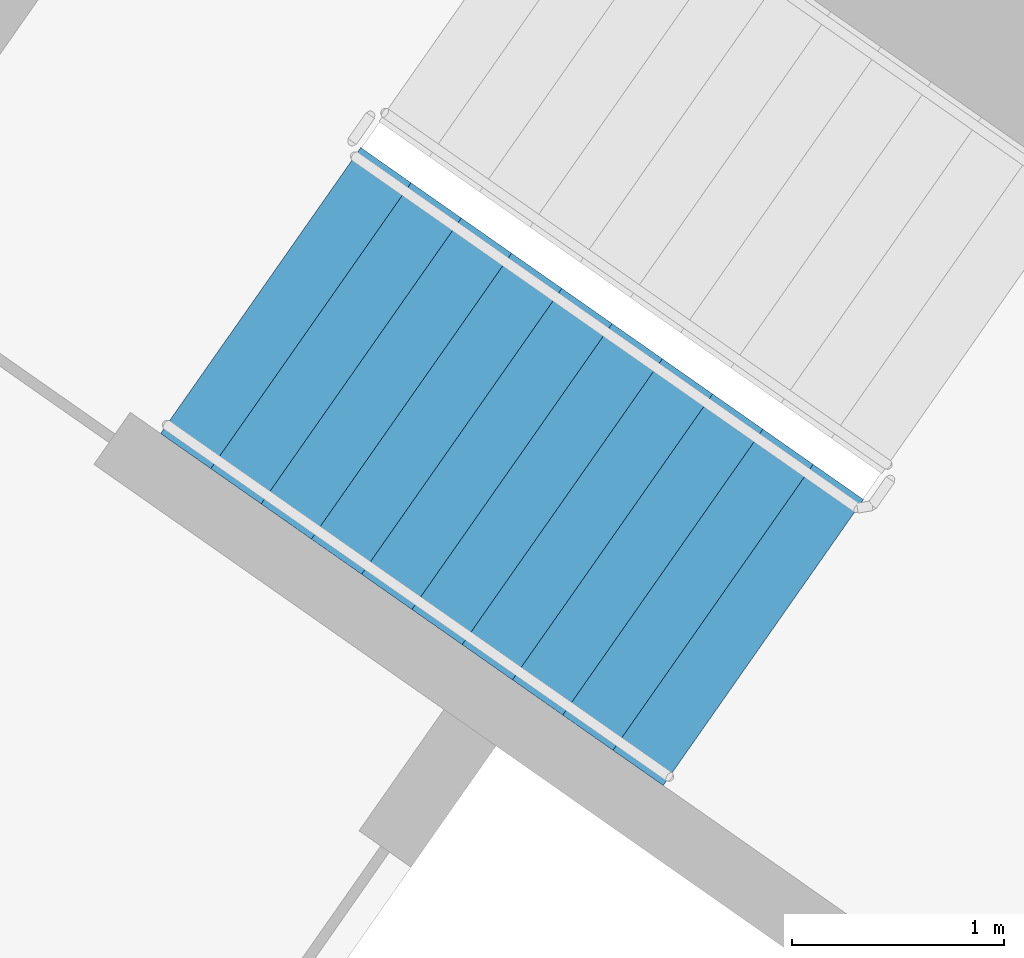
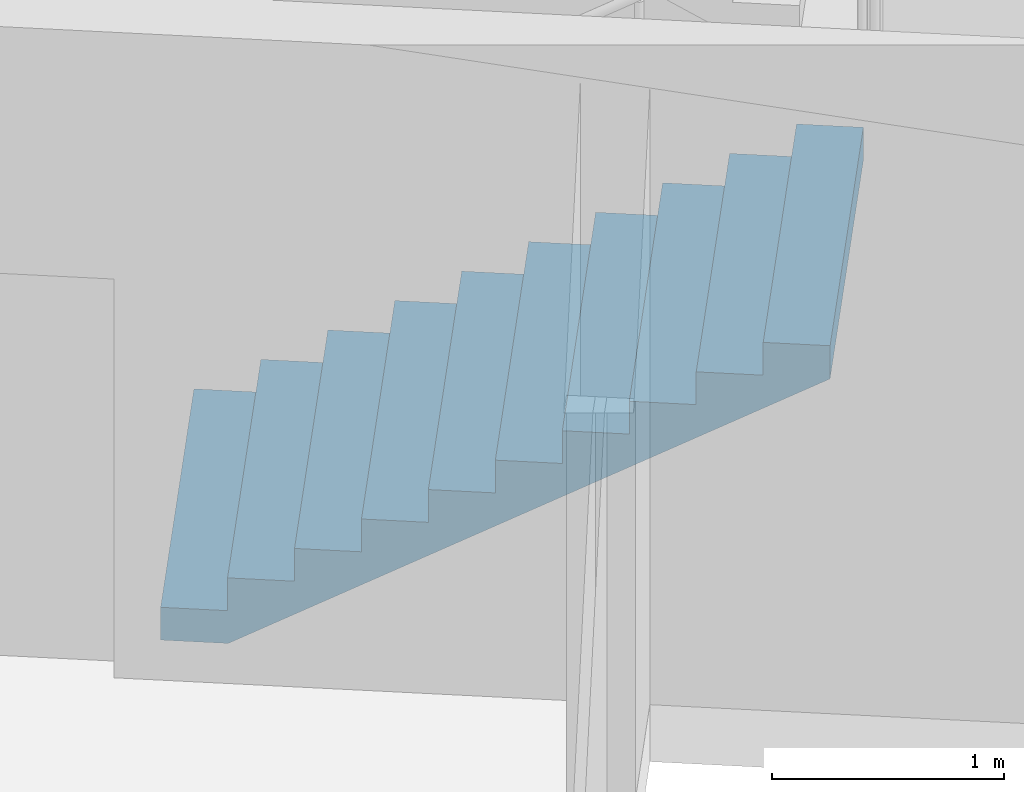
# One storey, part 11 of 28: 1 stair flight, 1 element without a shape of its own.
"""IFC4 building model written with IfcOpenShell, lengths in metres."""

from ifc_helpers import new_model, si_unit, direction, frame, origin, place, context, subcontext, project, spatial, faceted_brep, material, type_object, element, aggregate, save


model = new_model("IFC4")

# Units and contexts
model_context = context("Model", 3, precision=1e-05, world=origin(), true_north=direction((0.0, 1.0)))
body_context = subcontext(model_context, "Body", "Model", "MODEL_VIEW")
ifc_project = project(units=[si_unit("LENGTHUNIT", "METRE"), si_unit("AREAUNIT", "SQUARE_METRE"), si_unit("VOLUMEUNIT", "CUBIC_METRE"), si_unit("PLANEANGLEUNIT", "RADIAN"), si_unit("MASSUNIT", "GRAM", prefix="KILO")], contexts=[model_context])

# Site, building, storey
site_placement = place(None, origin())
site = spatial("IfcSite", under=ifc_project, at=site_placement, CompositionType="ELEMENT")
building_placement = place(site_placement, origin())
building = spatial("IfcBuilding", under=site, at=building_placement, Name="Qamariyya Broadcast Tower", CompositionType="ELEMENT")
storey_placement = place(building_placement, frame((0.0, 0.0, 249.300048828125)))
storey = spatial("IfcBuildingStorey", under=building, at=storey_placement, Name="L60", CompositionType="ELEMENT", Elevation=249.300048828125)

# Stair, stair flight
ifc_material = material(Name="Concrete C50/60", Category="concrete")
stair_type = type_object("IfcStairType", Name="Exit stair 22 risers of 173 mm", PredefinedType="HALF_TURN_STAIR", material=ifc_material)
stair_placement = place(storey_placement, origin())
stair = element("IfcStair", 1, at=stair_placement, inside=storey, type_object=stair_type, Name="L60 Stair W2", PredefinedType="HALF_TURN_STAIR")
stair_flight_type = type_object("IfcStairFlightType", Name="Exit stair flight 11 risers of 173 mm", PredefinedType="STRAIGHT", material=ifc_material)
stair_flight_placement = place(storey_placement, frame((-41.59130859375, -49.15966796875, 0.0), z_axis=(0.0, 0.0, 1.0), x_axis=(0.819152044289, -0.573576436351, 0.0)))
stair_flight = element("IfcStairFlight", 2, at=stair_flight_placement, type_object=stair_flight_type, Name="ST-W2 flight 1", NumberOfRisers=11, NumberOfTreads=10, PredefinedType="STRAIGHT", RiserHeight=0.172727273, TreadLength=0.29, context=body_context, shape_type="Brep", body=[
    faceted_brep([(0.0, 0.824951171875, 0.0), (0.0, 0.824951171875, 0.172607421875), (0.2900390625, 0.824951171875, 0.172607421875), (0.2900390625, 0.824951171875, 0.345458984375), (0.580078125, 0.824951171875, 0.345458984375), (0.580078125, 0.824951171875, 0.51806640625), (0.8701171875, 0.824951171875, 0.51806640625), (0.8701171875, 0.824951171875, 0.69091796875), (1.159912109375, 0.824951171875, 0.69091796875), (1.159912109375, 0.824951171875, 0.863525390625), (1.449951171875, 0.824951171875, 0.863525390625), (1.449951171875, 0.824951171875, 1.036376953125), (1.739990234375, 0.824951171875, 1.036376953125), (1.739990234375, 0.824951171875, 1.208984375), (2.030029296875, 0.824951171875, 1.208984375), (2.030029296875, 0.824951171875, 1.3818359375), (2.320068359375, 0.824951171875, 1.3818359375), (2.320068359375, 0.824951171875, 1.554443359375), (2.610107421875, 0.824951171875, 1.554443359375), (2.610107421875, 0.824951171875, 1.727294921875), (2.89990234375, 0.824951171875, 1.727294921875), (2.89990234375, 0.824951171875, 1.552734375), (0.29296875, 0.824951171875, 0.0), (0.29296875, -0.824951171875, 0.0), (2.89990234375, -0.824951171875, 1.552734375), (2.89990234375, -0.824951171875, 1.727294921875), (2.610107421875, -0.824951171875, 1.727294921875), (2.610107421875, -0.824951171875, 1.554443359375), (2.320068359375, -0.824951171875, 1.554443359375), (2.320068359375, -0.824951171875, 1.3818359375), (2.030029296875, -0.824951171875, 1.3818359375), (2.030029296875, -0.824951171875, 1.208984375), (1.739990234375, -0.824951171875, 1.208984375), (1.739990234375, -0.824951171875, 1.036376953125), (1.449951171875, -0.824951171875, 1.036376953125), (1.449951171875, -0.824951171875, 0.863525390625), (1.159912109375, -0.824951171875, 0.863525390625), (1.159912109375, -0.824951171875, 0.69091796875), (0.8701171875, -0.824951171875, 0.69091796875), (0.8701171875, -0.824951171875, 0.51806640625), (0.580078125, -0.824951171875, 0.51806640625), (0.580078125, -0.824951171875, 0.345458984375), (0.2900390625, -0.824951171875, 0.345458984375), (0.2900390625, -0.824951171875, 0.172607421875), (0.0, -0.824951171875, 0.172607421875), (0.0, -0.824951171875, 0.0), (0.0, 0.10009765625, 0.0), (0.0, 0.086669921875, 0.0), (0.0, 0.0732421875, 0.0), (0.0, 0.06005859375, 0.0), (0.0, 0.046630859375, 0.0), (0.0, 0.033447265625, 0.0), (0.0, 0.02001953125, 0.0), (0.0, 0.006591796875, 0.0), (0.0, -0.006591796875, 0.0), (0.0, -0.02001953125, 0.0), (0.0, -0.033447265625, 0.0), (0.0, -0.046630859375, 0.0), (0.0, -0.06005859375, 0.0), (0.0, -0.0732421875, 0.0), (0.0, -0.086669921875, 0.0), (0.0, -0.10009765625, 0.0), (0.0, -0.10009765625, 0.172607421875), (0.0, -0.086669921875, 0.172607421875), (0.0, -0.0732421875, 0.172607421875), (0.0, -0.06005859375, 0.172607421875), (0.0, -0.046630859375, 0.172607421875), (0.0, -0.033447265625, 0.172607421875), (0.0, -0.02001953125, 0.172607421875), (0.0, -0.006591796875, 0.172607421875), (0.0, 0.006591796875, 0.172607421875), (0.0, 0.02001953125, 0.172607421875), (0.0, 0.033447265625, 0.172607421875), (0.0, 0.046630859375, 0.172607421875), (0.0, 0.06005859375, 0.172607421875), (0.0, 0.0732421875, 0.172607421875), (0.0, 0.086669921875, 0.172607421875), (0.0, 0.10009765625, 0.172607421875), (0.2900390625, -0.10009765625, 0.172607421875), (0.2900390625, -0.086669921875, 0.172607421875), (0.2900390625, -0.0732421875, 0.172607421875), (0.2900390625, -0.06005859375, 0.172607421875), (0.2900390625, -0.046630859375, 0.172607421875), (0.2900390625, -0.033447265625, 0.172607421875), (0.2900390625, -0.02001953125, 0.172607421875), (0.2900390625, -0.006591796875, 0.172607421875), (0.2900390625, 0.006591796875, 0.172607421875), (0.2900390625, 0.02001953125, 0.172607421875), (0.2900390625, 0.033447265625, 0.172607421875), (0.2900390625, 0.046630859375, 0.172607421875), (0.2900390625, 0.06005859375, 0.172607421875), (0.2900390625, 0.0732421875, 0.172607421875), (0.2900390625, 0.086669921875, 0.172607421875), (0.2900390625, 0.10009765625, 0.172607421875), (0.2900390625, -0.10009765625, 0.345458984375), (0.2900390625, -0.086669921875, 0.345458984375), (0.2900390625, -0.0732421875, 0.345458984375), (0.2900390625, -0.06005859375, 0.345458984375), (0.2900390625, -0.046630859375, 0.345458984375), (0.2900390625, -0.033447265625, 0.345458984375), (0.2900390625, -0.02001953125, 0.345458984375), (0.2900390625, -0.006591796875, 0.345458984375), (0.2900390625, 0.006591796875, 0.345458984375), (0.2900390625, 0.02001953125, 0.345458984375), (0.2900390625, 0.033447265625, 0.345458984375), (0.2900390625, 0.046630859375, 0.345458984375), (0.2900390625, 0.06005859375, 0.345458984375), (0.2900390625, 0.0732421875, 0.345458984375), (0.2900390625, 0.086669921875, 0.345458984375), (0.2900390625, 0.10009765625, 0.345458984375), (0.580078125, -0.10009765625, 0.345458984375), (0.580078125, -0.086669921875, 0.345458984375), (0.580078125, -0.0732421875, 0.345458984375), (0.580078125, -0.06005859375, 0.345458984375), (0.580078125, -0.046630859375, 0.345458984375), (0.580078125, -0.033447265625, 0.345458984375), (0.580078125, -0.02001953125, 0.345458984375), (0.580078125, -0.006591796875, 0.345458984375), (0.580078125, 0.006591796875, 0.345458984375), (0.580078125, 0.02001953125, 0.345458984375), (0.580078125, 0.033447265625, 0.345458984375), (0.580078125, 0.046630859375, 0.345458984375), (0.580078125, 0.06005859375, 0.345458984375), (0.580078125, 0.0732421875, 0.345458984375), (0.580078125, 0.086669921875, 0.345458984375), (0.580078125, 0.10009765625, 0.345458984375), (0.580078125, -0.10009765625, 0.51806640625), (0.580078125, -0.086669921875, 0.51806640625), (0.580078125, -0.0732421875, 0.51806640625), (0.580078125, -0.06005859375, 0.51806640625), (0.580078125, -0.046630859375, 0.51806640625), (0.580078125, -0.033447265625, 0.51806640625), (0.580078125, -0.02001953125, 0.51806640625), (0.580078125, -0.006591796875, 0.51806640625), (0.580078125, 0.006591796875, 0.51806640625), (0.580078125, 0.02001953125, 0.51806640625), (0.580078125, 0.033447265625, 0.51806640625), (0.580078125, 0.046630859375, 0.51806640625), (0.580078125, 0.06005859375, 0.51806640625), (0.580078125, 0.0732421875, 0.51806640625), (0.580078125, 0.086669921875, 0.51806640625), (0.580078125, 0.10009765625, 0.51806640625), (0.8701171875, -0.10009765625, 0.51806640625), (0.8701171875, -0.086669921875, 0.51806640625), (0.8701171875, -0.0732421875, 0.51806640625), (0.8701171875, -0.06005859375, 0.51806640625), (0.8701171875, -0.046630859375, 0.51806640625), (0.8701171875, -0.033447265625, 0.51806640625), (0.8701171875, -0.02001953125, 0.51806640625), (0.8701171875, -0.006591796875, 0.51806640625), (0.8701171875, 0.006591796875, 0.51806640625), (0.8701171875, 0.02001953125, 0.51806640625), (0.8701171875, 0.033447265625, 0.51806640625), (0.8701171875, 0.046630859375, 0.51806640625), (0.8701171875, 0.06005859375, 0.51806640625), (0.8701171875, 0.0732421875, 0.51806640625), (0.8701171875, 0.086669921875, 0.51806640625), (0.8701171875, 0.10009765625, 0.51806640625), (0.8701171875, -0.10009765625, 0.69091796875), (0.8701171875, -0.086669921875, 0.69091796875), (0.8701171875, -0.0732421875, 0.69091796875), (0.8701171875, -0.06005859375, 0.69091796875), (0.8701171875, -0.046630859375, 0.69091796875), (0.8701171875, -0.033447265625, 0.69091796875), (0.8701171875, -0.02001953125, 0.69091796875), (0.8701171875, -0.006591796875, 0.69091796875), (0.8701171875, 0.006591796875, 0.69091796875), (0.8701171875, 0.02001953125, 0.69091796875), (0.8701171875, 0.033447265625, 0.69091796875), (0.8701171875, 0.046630859375, 0.69091796875), (0.8701171875, 0.06005859375, 0.69091796875), (0.8701171875, 0.0732421875, 0.69091796875), (0.8701171875, 0.086669921875, 0.69091796875), (0.8701171875, 0.10009765625, 0.69091796875), (1.159912109375, -0.10009765625, 0.69091796875), (1.159912109375, -0.086669921875, 0.69091796875), (1.159912109375, -0.0732421875, 0.69091796875), (1.159912109375, -0.06005859375, 0.69091796875), (1.159912109375, -0.046630859375, 0.69091796875), (1.159912109375, -0.033447265625, 0.69091796875), (1.159912109375, -0.02001953125, 0.69091796875), (1.159912109375, -0.006591796875, 0.69091796875), (1.159912109375, 0.006591796875, 0.69091796875), (1.159912109375, 0.02001953125, 0.69091796875), (1.159912109375, 0.033447265625, 0.69091796875), (1.159912109375, 0.046630859375, 0.69091796875), (1.159912109375, 0.06005859375, 0.69091796875), (1.159912109375, 0.0732421875, 0.69091796875), (1.159912109375, 0.086669921875, 0.69091796875), (1.159912109375, 0.10009765625, 0.69091796875), (1.159912109375, -0.10009765625, 0.863525390625), (1.159912109375, -0.086669921875, 0.863525390625), (1.159912109375, -0.0732421875, 0.863525390625), (1.159912109375, -0.06005859375, 0.863525390625), (1.159912109375, -0.046630859375, 0.863525390625), (1.159912109375, -0.033447265625, 0.863525390625), (1.159912109375, -0.02001953125, 0.863525390625), (1.159912109375, -0.006591796875, 0.863525390625), (1.159912109375, 0.006591796875, 0.863525390625), (1.159912109375, 0.02001953125, 0.863525390625), (1.159912109375, 0.033447265625, 0.863525390625), (1.159912109375, 0.046630859375, 0.863525390625), (1.159912109375, 0.06005859375, 0.863525390625), (1.159912109375, 0.0732421875, 0.863525390625), (1.159912109375, 0.086669921875, 0.863525390625), (1.159912109375, 0.10009765625, 0.863525390625), (1.449951171875, -0.10009765625, 0.863525390625), (1.449951171875, -0.086669921875, 0.863525390625), (1.449951171875, -0.0732421875, 0.863525390625), (1.449951171875, -0.06005859375, 0.863525390625), (1.449951171875, -0.046630859375, 0.863525390625), (1.449951171875, -0.033447265625, 0.863525390625), (1.449951171875, -0.02001953125, 0.863525390625), (1.449951171875, -0.006591796875, 0.863525390625), (1.449951171875, 0.006591796875, 0.863525390625), (1.449951171875, 0.02001953125, 0.863525390625), (1.449951171875, 0.033447265625, 0.863525390625), (1.449951171875, 0.046630859375, 0.863525390625), (1.449951171875, 0.06005859375, 0.863525390625), (1.449951171875, 0.0732421875, 0.863525390625), (1.449951171875, 0.086669921875, 0.863525390625), (1.449951171875, 0.10009765625, 0.863525390625), (1.449951171875, -0.10009765625, 1.036376953125), (1.449951171875, -0.086669921875, 1.036376953125), (1.449951171875, -0.0732421875, 1.036376953125), (1.449951171875, -0.06005859375, 1.036376953125), (1.449951171875, -0.046630859375, 1.036376953125), (1.449951171875, -0.033447265625, 1.036376953125), (1.449951171875, -0.02001953125, 1.036376953125), (1.449951171875, -0.006591796875, 1.036376953125), (1.449951171875, 0.006591796875, 1.036376953125), (1.449951171875, 0.02001953125, 1.036376953125), (1.449951171875, 0.033447265625, 1.036376953125), (1.449951171875, 0.046630859375, 1.036376953125), (1.449951171875, 0.06005859375, 1.036376953125), (1.449951171875, 0.0732421875, 1.036376953125), (1.449951171875, 0.086669921875, 1.036376953125), (1.449951171875, 0.10009765625, 1.036376953125), (1.739990234375, -0.10009765625, 1.036376953125), (1.739990234375, -0.086669921875, 1.036376953125), (1.739990234375, -0.0732421875, 1.036376953125), (1.739990234375, -0.06005859375, 1.036376953125), (1.739990234375, -0.046630859375, 1.036376953125), (1.739990234375, -0.033447265625, 1.036376953125), (1.739990234375, -0.02001953125, 1.036376953125), (1.739990234375, -0.006591796875, 1.036376953125), (1.739990234375, 0.006591796875, 1.036376953125), (1.739990234375, 0.02001953125, 1.036376953125), (1.739990234375, 0.033447265625, 1.036376953125), (1.739990234375, 0.046630859375, 1.036376953125), (1.739990234375, 0.06005859375, 1.036376953125), (1.739990234375, 0.0732421875, 1.036376953125), (1.739990234375, 0.086669921875, 1.036376953125), (1.739990234375, 0.10009765625, 1.036376953125), (1.739990234375, -0.10009765625, 1.208984375), (1.739990234375, -0.086669921875, 1.208984375), (1.739990234375, -0.0732421875, 1.208984375), (1.739990234375, -0.06005859375, 1.208984375), (1.739990234375, -0.046630859375, 1.208984375), (1.739990234375, -0.033447265625, 1.208984375), (1.739990234375, -0.02001953125, 1.208984375), (1.739990234375, -0.006591796875, 1.208984375), (1.739990234375, 0.006591796875, 1.208984375), (1.739990234375, 0.02001953125, 1.208984375), (1.739990234375, 0.033447265625, 1.208984375), (1.739990234375, 0.046630859375, 1.208984375), (1.739990234375, 0.06005859375, 1.208984375), (1.739990234375, 0.0732421875, 1.208984375), (1.739990234375, 0.086669921875, 1.208984375), (1.739990234375, 0.10009765625, 1.208984375), (2.030029296875, -0.10009765625, 1.208984375), (2.030029296875, -0.086669921875, 1.208984375), (2.030029296875, -0.0732421875, 1.208984375), (2.030029296875, -0.06005859375, 1.208984375), (2.030029296875, -0.046630859375, 1.208984375), (2.030029296875, -0.033447265625, 1.208984375), (2.030029296875, -0.02001953125, 1.208984375), (2.030029296875, -0.006591796875, 1.208984375), (2.030029296875, 0.006591796875, 1.208984375), (2.030029296875, 0.02001953125, 1.208984375), (2.030029296875, 0.033447265625, 1.208984375), (2.030029296875, 0.046630859375, 1.208984375), (2.030029296875, 0.06005859375, 1.208984375), (2.030029296875, 0.0732421875, 1.208984375), (2.030029296875, 0.086669921875, 1.208984375), (2.030029296875, 0.10009765625, 1.208984375), (2.030029296875, -0.10009765625, 1.3818359375), (2.030029296875, -0.086669921875, 1.3818359375), (2.030029296875, -0.0732421875, 1.3818359375), (2.030029296875, -0.06005859375, 1.3818359375), (2.030029296875, -0.046630859375, 1.3818359375), (2.030029296875, -0.033447265625, 1.3818359375), (2.030029296875, -0.02001953125, 1.3818359375), (2.030029296875, -0.006591796875, 1.3818359375), (2.030029296875, 0.006591796875, 1.3818359375), (2.030029296875, 0.02001953125, 1.3818359375), (2.030029296875, 0.033447265625, 1.3818359375), (2.030029296875, 0.046630859375, 1.3818359375), (2.030029296875, 0.06005859375, 1.3818359375), (2.030029296875, 0.0732421875, 1.3818359375), (2.030029296875, 0.086669921875, 1.3818359375), (2.030029296875, 0.10009765625, 1.3818359375), (2.320068359375, -0.10009765625, 1.3818359375), (2.320068359375, -0.086669921875, 1.3818359375), (2.320068359375, -0.0732421875, 1.3818359375), (2.320068359375, -0.06005859375, 1.3818359375), (2.320068359375, -0.046630859375, 1.3818359375), (2.320068359375, -0.033447265625, 1.3818359375), (2.320068359375, -0.02001953125, 1.3818359375), (2.320068359375, -0.006591796875, 1.3818359375), (2.320068359375, 0.006591796875, 1.3818359375), (2.320068359375, 0.02001953125, 1.3818359375), (2.320068359375, 0.033447265625, 1.3818359375), (2.320068359375, 0.046630859375, 1.3818359375), (2.320068359375, 0.06005859375, 1.3818359375), (2.320068359375, 0.0732421875, 1.3818359375), (2.320068359375, 0.086669921875, 1.3818359375), (2.320068359375, 0.10009765625, 1.3818359375), (2.320068359375, -0.10009765625, 1.554443359375), (2.320068359375, -0.086669921875, 1.554443359375), (2.320068359375, -0.0732421875, 1.554443359375), (2.320068359375, -0.06005859375, 1.554443359375), (2.320068359375, -0.046630859375, 1.554443359375), (2.320068359375, -0.033447265625, 1.554443359375), (2.320068359375, -0.02001953125, 1.554443359375), (2.320068359375, -0.006591796875, 1.554443359375), (2.320068359375, 0.006591796875, 1.554443359375), (2.320068359375, 0.02001953125, 1.554443359375), (2.320068359375, 0.033447265625, 1.554443359375), (2.320068359375, 0.046630859375, 1.554443359375), (2.320068359375, 0.06005859375, 1.554443359375), (2.320068359375, 0.0732421875, 1.554443359375), (2.320068359375, 0.086669921875, 1.554443359375), (2.320068359375, 0.10009765625, 1.554443359375), (2.610107421875, -0.10009765625, 1.554443359375), (2.610107421875, -0.086669921875, 1.554443359375), (2.610107421875, -0.0732421875, 1.554443359375), (2.610107421875, -0.06005859375, 1.554443359375), (2.610107421875, -0.046630859375, 1.554443359375), (2.610107421875, -0.033447265625, 1.554443359375), (2.610107421875, -0.02001953125, 1.554443359375), (2.610107421875, -0.006591796875, 1.554443359375), (2.610107421875, 0.006591796875, 1.554443359375), (2.610107421875, 0.02001953125, 1.554443359375), (2.610107421875, 0.033447265625, 1.554443359375), (2.610107421875, 0.046630859375, 1.554443359375), (2.610107421875, 0.06005859375, 1.554443359375), (2.610107421875, 0.0732421875, 1.554443359375), (2.610107421875, 0.086669921875, 1.554443359375), (2.610107421875, 0.10009765625, 1.554443359375), (2.610107421875, -0.10009765625, 1.727294921875), (2.610107421875, -0.086669921875, 1.727294921875), (2.610107421875, -0.0732421875, 1.727294921875), (2.610107421875, -0.06005859375, 1.727294921875), (2.610107421875, -0.046630859375, 1.727294921875), (2.610107421875, -0.033447265625, 1.727294921875), (2.610107421875, -0.02001953125, 1.727294921875), (2.610107421875, -0.006591796875, 1.727294921875), (2.610107421875, 0.006591796875, 1.727294921875), (2.610107421875, 0.02001953125, 1.727294921875), (2.610107421875, 0.033447265625, 1.727294921875), (2.610107421875, 0.046630859375, 1.727294921875), (2.610107421875, 0.06005859375, 1.727294921875), (2.610107421875, 0.0732421875, 1.727294921875), (2.610107421875, 0.086669921875, 1.727294921875), (2.610107421875, 0.10009765625, 1.727294921875), (2.89990234375, -0.10009765625, 1.727294921875), (2.89990234375, -0.086669921875, 1.727294921875), (2.89990234375, -0.0732421875, 1.727294921875), (2.89990234375, -0.06005859375, 1.727294921875), (2.89990234375, -0.046630859375, 1.727294921875), (2.89990234375, -0.033447265625, 1.727294921875), (2.89990234375, -0.02001953125, 1.727294921875), (2.89990234375, -0.006591796875, 1.727294921875), (2.89990234375, 0.006591796875, 1.727294921875), (2.89990234375, 0.02001953125, 1.727294921875), (2.89990234375, 0.033447265625, 1.727294921875), (2.89990234375, 0.046630859375, 1.727294921875), (2.89990234375, 0.06005859375, 1.727294921875), (2.89990234375, 0.0732421875, 1.727294921875), (2.89990234375, 0.086669921875, 1.727294921875), (2.89990234375, 0.10009765625, 1.727294921875), (2.89990234375, -0.10009765625, 1.552734375), (2.89990234375, -0.086669921875, 1.552734375), (2.89990234375, -0.0732421875, 1.552734375), (2.89990234375, -0.06005859375, 1.552734375), (2.89990234375, -0.046630859375, 1.552734375), (2.89990234375, -0.033447265625, 1.552734375), (2.89990234375, -0.02001953125, 1.552734375), (2.89990234375, -0.006591796875, 1.552734375), (2.89990234375, 0.006591796875, 1.552734375), (2.89990234375, 0.02001953125, 1.552734375), (2.89990234375, 0.033447265625, 1.552734375), (2.89990234375, 0.046630859375, 1.552734375), (2.89990234375, 0.06005859375, 1.552734375), (2.89990234375, 0.0732421875, 1.552734375), (2.89990234375, 0.086669921875, 1.552734375), (2.89990234375, 0.10009765625, 1.552734375), (0.29296875, -0.10009765625, 0.0), (0.29296875, -0.086669921875, 0.0), (0.29296875, -0.0732421875, 0.0), (0.29296875, -0.06005859375, 0.0), (0.29296875, -0.046630859375, 0.0), (0.29296875, -0.033447265625, 0.0), (0.29296875, -0.02001953125, 0.0), (0.29296875, -0.006591796875, 0.0), (0.29296875, 0.006591796875, 0.0), (0.29296875, 0.02001953125, 0.0), (0.29296875, 0.033447265625, 0.0), (0.29296875, 0.046630859375, 0.0), (0.29296875, 0.06005859375, 0.0), (0.29296875, 0.0732421875, 0.0), (0.29296875, 0.086669921875, 0.0), (0.29296875, 0.10009765625, 0.0)], [[[0, 1, 2, 3, 4, 5, 6, 7, 8, 9, 10, 11, 12, 13, 14, 15, 16, 17, 18, 19, 20, 21, 22]], [[23, 24, 25, 26, 27, 28, 29, 30, 31, 32, 33, 34, 35, 36, 37, 38, 39, 40, 41, 42, 43, 44, 45]], [[0, 46, 47, 48, 49, 50, 51, 52, 53, 54, 55, 56, 57, 58, 59, 60, 61, 45, 44, 62, 63, 64, 65, 66, 67, 68, 69, 70, 71, 72, 73, 74, 75, 76, 77, 1]], [[1, 77, 76, 75, 74, 73, 72, 71, 70, 69, 68, 67, 66, 65, 64, 63, 62, 44, 43, 78, 79, 80, 81, 82, 83, 84, 85, 86, 87, 88, 89, 90, 91, 92, 93, 2]], [[2, 93, 92, 91, 90, 89, 88, 87, 86, 85, 84, 83, 82, 81, 80, 79, 78, 43, 42, 94, 95, 96, 97, 98, 99, 100, 101, 102, 103, 104, 105, 106, 107, 108, 109, 3]], [[3, 109, 108, 107, 106, 105, 104, 103, 102, 101, 100, 99, 98, 97, 96, 95, 94, 42, 41, 110, 111, 112, 113, 114, 115, 116, 117, 118, 119, 120, 121, 122, 123, 124, 125, 4]], [[4, 125, 124, 123, 122, 121, 120, 119, 118, 117, 116, 115, 114, 113, 112, 111, 110, 41, 40, 126, 127, 128, 129, 130, 131, 132, 133, 134, 135, 136, 137, 138, 139, 140, 141, 5]], [[5, 141, 140, 139, 138, 137, 136, 135, 134, 133, 132, 131, 130, 129, 128, 127, 126, 40, 39, 142, 143, 144, 145, 146, 147, 148, 149, 150, 151, 152, 153, 154, 155, 156, 157, 6]], [[6, 157, 156, 155, 154, 153, 152, 151, 150, 149, 148, 147, 146, 145, 144, 143, 142, 39, 38, 158, 159, 160, 161, 162, 163, 164, 165, 166, 167, 168, 169, 170, 171, 172, 173, 7]], [[7, 173, 172, 171, 170, 169, 168, 167, 166, 165, 164, 163, 162, 161, 160, 159, 158, 38, 37, 174, 175, 176, 177, 178, 179, 180, 181, 182, 183, 184, 185, 186, 187, 188, 189, 8]], [[8, 189, 188, 187, 186, 185, 184, 183, 182, 181, 180, 179, 178, 177, 176, 175, 174, 37, 36, 190, 191, 192, 193, 194, 195, 196, 197, 198, 199, 200, 201, 202, 203, 204, 205, 9]], [[9, 205, 204, 203, 202, 201, 200, 199, 198, 197, 196, 195, 194, 193, 192, 191, 190, 36, 35, 206, 207, 208, 209, 210, 211, 212, 213, 214, 215, 216, 217, 218, 219, 220, 221, 10]], [[10, 221, 220, 219, 218, 217, 216, 215, 214, 213, 212, 211, 210, 209, 208, 207, 206, 35, 34, 222, 223, 224, 225, 226, 227, 228, 229, 230, 231, 232, 233, 234, 235, 236, 237, 11]], [[11, 237, 236, 235, 234, 233, 232, 231, 230, 229, 228, 227, 226, 225, 224, 223, 222, 34, 33, 238, 239, 240, 241, 242, 243, 244, 245, 246, 247, 248, 249, 250, 251, 252, 253, 12]], [[12, 253, 252, 251, 250, 249, 248, 247, 246, 245, 244, 243, 242, 241, 240, 239, 238, 33, 32, 254, 255, 256, 257, 258, 259, 260, 261, 262, 263, 264, 265, 266, 267, 268, 269, 13]], [[13, 269, 268, 267, 266, 265, 264, 263, 262, 261, 260, 259, 258, 257, 256, 255, 254, 32, 31, 270, 271, 272, 273, 274, 275, 276, 277, 278, 279, 280, 281, 282, 283, 284, 285, 14]], [[14, 285, 284, 283, 282, 281, 280, 279, 278, 277, 276, 275, 274, 273, 272, 271, 270, 31, 30, 286, 287, 288, 289, 290, 291, 292, 293, 294, 295, 296, 297, 298, 299, 300, 301, 15]], [[15, 301, 300, 299, 298, 297, 296, 295, 294, 293, 292, 291, 290, 289, 288, 287, 286, 30, 29, 302, 303, 304, 305, 306, 307, 308, 309, 310, 311, 312, 313, 314, 315, 316, 317, 16]], [[16, 317, 316, 315, 314, 313, 312, 311, 310, 309, 308, 307, 306, 305, 304, 303, 302, 29, 28, 318, 319, 320, 321, 322, 323, 324, 325, 326, 327, 328, 329, 330, 331, 332, 333, 17]], [[17, 333, 332, 331, 330, 329, 328, 327, 326, 325, 324, 323, 322, 321, 320, 319, 318, 28, 27, 334, 335, 336, 337, 338, 339, 340, 341, 342, 343, 344, 345, 346, 347, 348, 349, 18]], [[18, 349, 348, 347, 346, 345, 344, 343, 342, 341, 340, 339, 338, 337, 336, 335, 334, 27, 26, 350, 351, 352, 353, 354, 355, 356, 357, 358, 359, 360, 361, 362, 363, 364, 365, 19]], [[19, 365, 364, 363, 362, 361, 360, 359, 358, 357, 356, 355, 354, 353, 352, 351, 350, 26, 25, 366, 367, 368, 369, 370, 371, 372, 373, 374, 375, 376, 377, 378, 379, 380, 381, 20]], [[20, 381, 380, 379, 378, 377, 376, 375, 374, 373, 372, 371, 370, 369, 368, 367, 366, 25, 24, 382, 383, 384, 385, 386, 387, 388, 389, 390, 391, 392, 393, 394, 395, 396, 397, 21]], [[21, 397, 396, 395, 394, 393, 392, 391, 390, 389, 388, 387, 386, 385, 384, 383, 382, 24, 23, 398, 399, 400, 401, 402, 403, 404, 405, 406, 407, 408, 409, 410, 411, 412, 413, 22]], [[22, 413, 412, 411, 410, 409, 408, 407, 406, 405, 404, 403, 402, 401, 400, 399, 398, 23, 45, 61, 60, 59, 58, 57, 56, 55, 54, 53, 52, 51, 50, 49, 48, 47, 46, 0]]]),
])
aggregate(stair, [stair_flight])

save(model, "model.ifc")
